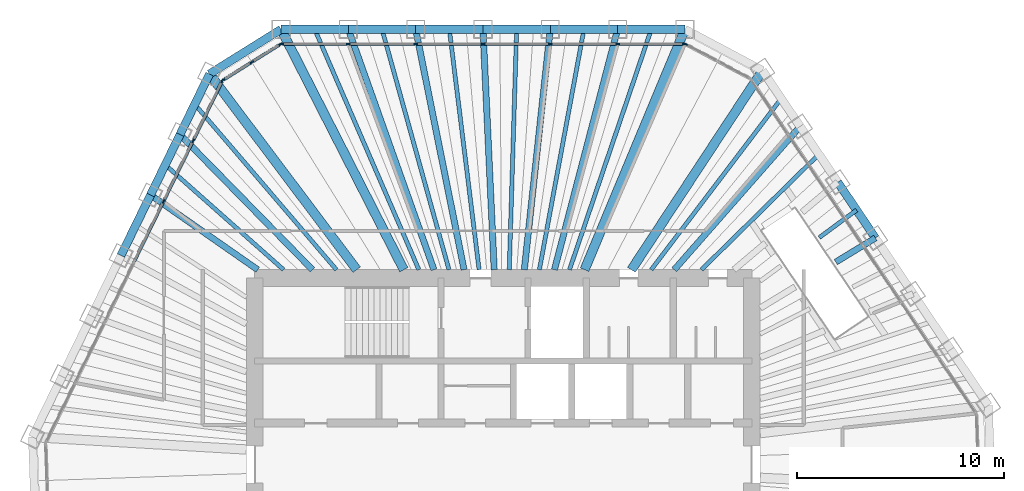
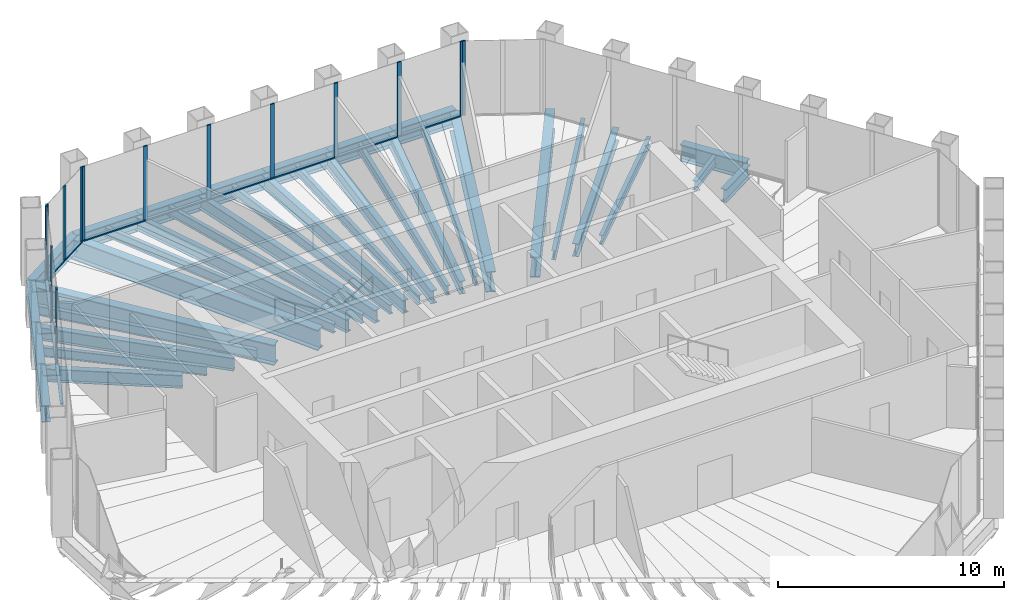
# One storey, part 9 of 17: 35 beams, 25 members, 4 elements without a shape of their own.
"""IFC4 building model written with IfcOpenShell, lengths in metres."""

from ifc_helpers import new_model, si_unit, direction, frame, origin, origin_2d, place, context, subcontext, project, spatial, rectangle, i_section, extrude, material, material_profile, profile_set, type_object, element, aggregate, save


model = new_model("IFC4")

# Units and contexts
model_context = context("Model", 3, precision=1e-05, world=origin(), true_north=direction((0.0, 1.0)))
body_context = subcontext(model_context, "Body", "Model", "MODEL_VIEW")
ifc_project = project(units=[si_unit("LENGTHUNIT", "METRE"), si_unit("AREAUNIT", "SQUARE_METRE"), si_unit("VOLUMEUNIT", "CUBIC_METRE"), si_unit("PLANEANGLEUNIT", "RADIAN"), si_unit("MASSUNIT", "GRAM", prefix="KILO")], contexts=[model_context])

# Site, building, storey
site_placement = place(None, origin())
site = spatial("IfcSite", under=ifc_project, at=site_placement, CompositionType="ELEMENT")
building_placement = place(site_placement, origin())
building = spatial("IfcBuilding", under=site, at=building_placement, Name="Qingtian Harvest Tower", CompositionType="ELEMENT")
storey_placement = place(building_placement, frame((0.0, 0.0, 329.199951171875)))
storey = spatial("IfcBuildingStorey", under=building, at=storey_placement, Name="L73", CompositionType="ELEMENT", Elevation=329.199951171875)

# Beams
ifc_material_1 = material(Name="Steel SM570MC", Category="steel")
ifc_material_profile_1 = material_profile(ifc_material_1, i_section(OverallWidth=0.449951171875, OverallDepth=1.10009765625, WebThickness=0.02197265625, FlangeThickness=0.044921875, at=origin_2d()), Name="H1100x450x22x45")
ifc_profile_set_1 = profile_set([ifc_material_profile_1], Name="Steel SM570MC")
beam_type_1 = type_object("IfcBeamType", Name="Corner floor beam FB8 H1100x450x22x45", PredefinedType="BEAM", material=ifc_profile_set_1)
beam_1_placement = place(storey_placement, frame((-10.72216796875, 21.0, -0.719970703125), z_axis=(0.454725592954, -0.890631593372, 0.0), x_axis=(0.890631593372, 0.454725592954, 0.0)))
element("IfcBeam", 1, at=beam_1_placement, inside=storey, type_object=beam_type_1, Name="Floor beam FB8 N0", PredefinedType="BEAM", context=body_context, shape_type="SweptSolid", body=[
    extrude(i_section(OverallWidth=0.449951171875, OverallDepth=1.10009765625, WebThickness=0.02197265625, FlangeThickness=0.044921875, at=origin_2d()), origin(), (0.0, 0.0, 1.0), 13.024658203125),
])
beam_2_placement = place(storey_placement, frame((8.765869140625, 21.0, -0.719970703125), z_axis=(-0.385202803059, -0.922831945977, 0.0), x_axis=(0.922831945977, -0.385202803059, 0.0)))
element("IfcBeam", 2, at=beam_2_placement, inside=storey, type_object=beam_type_1, Name="Floor beam FB8 N6", PredefinedType="BEAM", context=body_context, shape_type="SweptSolid", body=[
    extrude(i_section(OverallWidth=0.449951171875, OverallDepth=1.10009765625, WebThickness=0.02197265625, FlangeThickness=0.044921875, at=origin_2d()), origin(), (0.0, 0.0, 1.0), 12.570068359375),
])
beam_3_placement = place(storey_placement, frame((12.508056640625, 19.01025390625, -0.719970703125), z_axis=(-0.549655478371, -0.835391438247, 0.0), x_axis=(0.835391438247, -0.549655478371, 0.0)))
element("IfcBeam", 3, at=beam_3_placement, inside=storey, type_object=beam_type_1, Name="Floor beam FB8 NE0", PredefinedType="BEAM", context=body_context, shape_type="SweptSolid", body=[
    extrude(i_section(OverallWidth=0.449951171875, OverallDepth=1.10009765625, WebThickness=0.02197265625, FlangeThickness=0.044921875, at=origin_2d()), origin(), (0.0, 0.0, 1.0), 11.50390625),
])
beam_4_placement = place(storey_placement, frame((-14.17431640625, 18.8427734375, -0.719970703125), z_axis=(0.601143201392, -0.799141321307, 0.0), x_axis=(0.799141321307, 0.601143201392, 0.0)))
element("IfcBeam", 4, at=beam_4_placement, inside=storey, type_object=beam_type_1, Name="Floor beam FB8 NW6", PredefinedType="BEAM", context=body_context, shape_type="SweptSolid", body=[
    extrude(i_section(OverallWidth=0.449951171875, OverallDepth=1.10009765625, WebThickness=0.02197265625, FlangeThickness=0.044921875, at=origin_2d()), origin(), (0.0, 0.0, 1.0), 11.816162109375),
])
ifc_material_2 = material(Name="Steel SN490B", Category="steel")
ifc_material_profile_2 = material_profile(ifc_material_2, i_section(OverallWidth=0.300048828125, OverallDepth=0.699951171875, WebThickness=0.012939453125, FlangeThickness=0.02392578125, at=origin_2d()), Name="H700x300x13x24")
ifc_profile_set_2 = profile_set([ifc_material_profile_2], Name="Steel SN490B")
beam_type_2 = type_object("IfcBeamType", Name="Floor beam FB4 H700x300x13x24", PredefinedType="BEAM", material=ifc_profile_set_2)
beam_5_placement = place(storey_placement, frame((-7.47412109375, 21.0, -0.52001953125), z_axis=(0.335293644082, -0.942113672673, 0.0), x_axis=(0.942113672673, 0.335293644082, 0.0)))
element("IfcBeam", 5, at=beam_5_placement, inside=storey, type_object=beam_type_2, Name="Floor beam FB4 N1", PredefinedType="BEAM", context=body_context, shape_type="SweptSolid", body=[
    extrude(i_section(OverallWidth=0.300048828125, OverallDepth=0.699951171875, WebThickness=0.012939453125, FlangeThickness=0.02392578125, at=origin_2d()), origin(), (0.0, 0.0, 1.0), 12.312744140625),
])
beam_6_placement = place(storey_placement, frame((-4.226318359375, 21.0, -0.52001953125), z_axis=(0.197290474792, -0.980345076265, 0.0), x_axis=(0.980345076265, 0.197290474792, 0.0)))
element("IfcBeam", 6, at=beam_6_placement, inside=storey, type_object=beam_type_2, Name="Floor beam FB4 N2", PredefinedType="BEAM", context=body_context, shape_type="SweptSolid", body=[
    extrude(i_section(OverallWidth=0.300048828125, OverallDepth=0.699951171875, WebThickness=0.012939453125, FlangeThickness=0.02392578125, at=origin_2d()), origin(), (0.0, 0.0, 1.0), 11.832763671875),
])
beam_7_placement = place(storey_placement, frame((-0.978271484375, 21.0, -0.52001953125), z_axis=(0.046546287853, -0.998916134161, 0.0), x_axis=(0.998916134161, 0.046546287853, 0.0)))
element("IfcBeam", 7, at=beam_7_placement, inside=storey, type_object=beam_type_2, Name="Floor beam FB4 N3", PredefinedType="BEAM", context=body_context, shape_type="SweptSolid", body=[
    extrude(i_section(OverallWidth=0.300048828125, OverallDepth=0.699951171875, WebThickness=0.012939453125, FlangeThickness=0.02392578125, at=origin_2d()), origin(), (0.0, 0.0, 1.0), 11.61279296875),
])
beam_8_placement = place(storey_placement, frame((2.269775390625, 21.0, -0.52001953125), z_axis=(-0.107447744153, -0.994210733334, 0.0), x_axis=(0.994210733334, -0.107447744153, 0.0)))
element("IfcBeam", 8, at=beam_8_placement, inside=storey, type_object=beam_type_2, Name="Floor beam FB4 N4", PredefinedType="BEAM", context=body_context, shape_type="SweptSolid", body=[
    extrude(i_section(OverallWidth=0.300048828125, OverallDepth=0.699951171875, WebThickness=0.012939453125, FlangeThickness=0.02392578125, at=origin_2d()), origin(), (0.0, 0.0, 1.0), 11.667724609375),
])
beam_9_placement = place(storey_placement, frame((5.517822265625, 21.0, -0.52001953125), z_axis=(-0.254118548412, -0.967173078282, 0.0), x_axis=(0.967173078282, -0.254118548412, 0.0)))
element("IfcBeam", 9, at=beam_9_placement, inside=storey, type_object=beam_type_2, Name="Floor beam FB4 N5", PredefinedType="BEAM", context=body_context, shape_type="SweptSolid", body=[
    extrude(i_section(OverallWidth=0.300048828125, OverallDepth=0.699951171875, WebThickness=0.012939453125, FlangeThickness=0.02392578125, at=origin_2d()), origin(), (0.0, 0.0, 1.0), 11.993896484375),
])
beam_10_placement = place(storey_placement, frame((14.32421875, 16.317626953125, -0.52001953125), z_axis=(-0.659703637934, -0.751525854576, 0.0), x_axis=(0.751525854576, -0.659703637934, 0.0)))
element("IfcBeam", 10, at=beam_10_placement, inside=storey, type_object=beam_type_2, Name="Floor beam FB4 NE1", PredefinedType="BEAM", context=body_context, shape_type="SweptSolid", body=[
    extrude(i_section(OverallWidth=0.300048828125, OverallDepth=0.699951171875, WebThickness=0.012939453125, FlangeThickness=0.02392578125, at=origin_2d()), origin(), (0.0, 0.0, 1.0), 9.204833984375),
])
beam_11_placement = place(storey_placement, frame((17.956787109375, 10.93212890625, -0.52001953125), z_axis=(-0.854169021026, -0.519995464904, 0.0), x_axis=(0.519995464904, -0.854169021026, 0.0)))
element("IfcBeam", 11, at=beam_11_placement, inside=storey, type_object=beam_type_2, Name="Floor beam FB4 NE3", PredefinedType="BEAM", context=body_context, shape_type="SweptSolid", body=[
    extrude(i_section(OverallWidth=0.300048828125, OverallDepth=0.699951171875, WebThickness=0.012939453125, FlangeThickness=0.02392578125, at=origin_2d()), origin(), (0.0, 0.0, 1.0), 2.23486328125),
])
beam_12_placement = place(storey_placement, frame((-17.02197265625, 13.00439453125, -0.52001953125), z_axis=(0.820409176986, -0.571776864097, 0.0), x_axis=(0.571776864097, 0.820409176986, 0.0)))
element("IfcBeam", 12, at=beam_12_placement, inside=storey, type_object=beam_type_2, Name="Floor beam FB4 NW4", PredefinedType="BEAM", context=body_context, shape_type="SweptSolid", body=[
    extrude(i_section(OverallWidth=0.300048828125, OverallDepth=0.699951171875, WebThickness=0.012939453125, FlangeThickness=0.02392578125, at=origin_2d()), origin(), (0.0, 0.0, 1.0), 6.303955078125),
])
beam_13_placement = place(storey_placement, frame((-15.59814453125, 15.923583984375, -0.52001953125), z_axis=(0.699757003326, -0.714380946202, 0.0), x_axis=(0.714380946202, 0.699757003326, 0.0)))
element("IfcBeam", 13, at=beam_13_placement, inside=storey, type_object=beam_type_2, Name="Floor beam FB4 NW5", PredefinedType="BEAM", context=body_context, shape_type="SweptSolid", body=[
    extrude(i_section(OverallWidth=0.300048828125, OverallDepth=0.699951171875, WebThickness=0.012939453125, FlangeThickness=0.02392578125, at=origin_2d()), origin(), (0.0, 0.0, 1.0), 9.1318359375),
])
ifc_material_3 = material(Name="Steel SN490B", Category="steel")
ifc_material_profile_3 = material_profile(ifc_material_3, i_section(OverallWidth=0.199951171875, OverallDepth=0.5, WebThickness=0.010009765625, FlangeThickness=0.01611328125, at=origin_2d()), Name="H500x200x10x16")
ifc_profile_set_3 = profile_set([ifc_material_profile_3], Name="Steel SN490B")
beam_type_3 = type_object("IfcBeamType", Name="Floor joist J3 H500x200x10x16", PredefinedType="JOIST", material=ifc_profile_set_3)
beam_14_placement = place(storey_placement, frame((-9.09814453125, 21.0, -0.419921875), z_axis=(0.39753589741, -0.917586622761, 0.0), x_axis=(0.917586622761, 0.39753589741, 0.0)))
element("IfcBeam", 14, at=beam_14_placement, inside=storey, type_object=beam_type_3, Name="Floor joist J3 N0", PredefinedType="JOIST", context=body_context, shape_type="SweptSolid", body=[
    extrude(i_section(OverallWidth=0.199951171875, OverallDepth=0.5, WebThickness=0.010009765625, FlangeThickness=0.01611328125, at=origin_2d()), origin(), (0.0, 0.0, 1.0), 12.641845703125),
])
beam_15_placement = place(storey_placement, frame((-5.85009765625, 21.0, -0.419921875), z_axis=(0.268352758425, -0.963320713494, 0.0), x_axis=(0.963320713494, 0.268352758425, 0.0)))
element("IfcBeam", 15, at=beam_15_placement, inside=storey, type_object=beam_type_3, Name="Floor joist J3 N1", PredefinedType="JOIST", context=body_context, shape_type="SweptSolid", body=[
    extrude(i_section(OverallWidth=0.199951171875, OverallDepth=0.5, WebThickness=0.010009765625, FlangeThickness=0.01611328125, at=origin_2d()), origin(), (0.0, 0.0, 1.0), 12.041748046875),
])
beam_16_placement = place(storey_placement, frame((-2.602294921875, 21.0, -0.419921875), z_axis=(0.122980691304, -0.992409063626, 0.0), x_axis=(0.992409063626, 0.122980691304, 0.0)))
element("IfcBeam", 16, at=beam_16_placement, inside=storey, type_object=beam_type_3, Name="Floor joist J3 N2", PredefinedType="JOIST", context=body_context, shape_type="SweptSolid", body=[
    extrude(i_section(OverallWidth=0.199951171875, OverallDepth=0.5, WebThickness=0.010009765625, FlangeThickness=0.01611328125, at=origin_2d()), origin(), (0.0, 0.0, 1.0), 11.688720703125),
])
beam_17_placement = place(storey_placement, frame((0.645751953125, 21.0, -0.419921875), z_axis=(-0.030734305856, -0.999527589636, 0.0), x_axis=(0.999527589636, -0.030734305856, 0.0)))
element("IfcBeam", 17, at=beam_17_placement, inside=storey, type_object=beam_type_3, Name="Floor joist J3 N3", PredefinedType="JOIST", context=body_context, shape_type="SweptSolid", body=[
    extrude(i_section(OverallWidth=0.199951171875, OverallDepth=0.5, WebThickness=0.010009765625, FlangeThickness=0.01611328125, at=origin_2d()), origin(), (0.0, 0.0, 1.0), 11.60546875),
])
beam_18_placement = place(storey_placement, frame((3.893798828125, 21.0, -0.419921875), z_axis=(-0.182311561934, -0.983240812001, 0.0), x_axis=(0.983240812001, -0.182311561934, 0.0)))
element("IfcBeam", 18, at=beam_18_placement, inside=storey, type_object=beam_type_3, Name="Floor joist J3 N4", PredefinedType="JOIST", context=body_context, shape_type="SweptSolid", body=[
    extrude(i_section(OverallWidth=0.199951171875, OverallDepth=0.5, WebThickness=0.010009765625, FlangeThickness=0.01611328125, at=origin_2d()), origin(), (0.0, 0.0, 1.0), 11.7978515625),
])
beam_19_placement = place(storey_placement, frame((7.141845703125, 21.0, -0.419921875), z_axis=(-0.321978462512, -0.946746993488, 0.0), x_axis=(0.946746993488, -0.321978462512, 0.0)))
element("IfcBeam", 19, at=beam_19_placement, inside=storey, type_object=beam_type_3, Name="Floor joist J3 N5", PredefinedType="JOIST", context=body_context, shape_type="SweptSolid", body=[
    extrude(i_section(OverallWidth=0.199951171875, OverallDepth=0.5, WebThickness=0.010009765625, FlangeThickness=0.01611328125, at=origin_2d()), origin(), (0.0, 0.0, 1.0), 12.252685546875),
])
beam_20_placement = place(storey_placement, frame((13.416015625, 17.6640625, -0.419921875), z_axis=(-0.604829724016, -0.796354823522, 0.0), x_axis=(0.796354823522, -0.604829724016, 0.0)))
element("IfcBeam", 20, at=beam_20_placement, inside=storey, type_object=beam_type_3, Name="Floor joist J3 NE0", PredefinedType="JOIST", context=body_context, shape_type="SweptSolid", body=[
    extrude(i_section(OverallWidth=0.199951171875, OverallDepth=0.5, WebThickness=0.010009765625, FlangeThickness=0.01611328125, at=origin_2d()), origin(), (0.0, 0.0, 1.0), 10.37744140625),
])
beam_21_placement = place(storey_placement, frame((15.232421875, 14.97119140625, -0.419921875), z_axis=(-0.713193091885, -0.700967626704, 0.0), x_axis=(0.700967626704, -0.713193091885, 0.0)))
element("IfcBeam", 21, at=beam_21_placement, inside=storey, type_object=beam_type_3, Name="Floor joist J3 NE1", PredefinedType="JOIST", context=body_context, shape_type="SweptSolid", body=[
    extrude(i_section(OverallWidth=0.199951171875, OverallDepth=0.5, WebThickness=0.010009765625, FlangeThickness=0.01611328125, at=origin_2d()), origin(), (0.0, 0.0, 1.0), 7.947998046875),
])
beam_22_placement = place(storey_placement, frame((17.048583984375, 12.278564453125, -0.419921875), z_axis=(-0.804786596725, -0.593564262513, 0.0), x_axis=(0.593564262513, -0.804786596725, 0.0)))
element("IfcBeam", 22, at=beam_22_placement, inside=storey, type_object=beam_type_3, Name="Floor joist J3 NE2", PredefinedType="JOIST", context=body_context, shape_type="SweptSolid", body=[
    extrude(i_section(OverallWidth=0.199951171875, OverallDepth=0.5, WebThickness=0.010009765625, FlangeThickness=0.01611328125, at=origin_2d()), origin(), (0.0, 0.0, 1.0), 2.234130859375),
])
beam_23_placement = place(storey_placement, frame((-16.31005859375, 14.4638671875, -0.419921875), z_axis=(0.748174776717, -0.663501698177, 0.0), x_axis=(0.663501698177, 0.748174776717, 0.0)))
element("IfcBeam", 23, at=beam_23_placement, inside=storey, type_object=beam_type_3, Name="Floor joist J3 NW4", PredefinedType="JOIST", context=body_context, shape_type="SweptSolid", body=[
    extrude(i_section(OverallWidth=0.199951171875, OverallDepth=0.5, WebThickness=0.010009765625, FlangeThickness=0.01611328125, at=origin_2d()), origin(), (0.0, 0.0, 1.0), 7.632080078125),
])
beam_24_placement = place(storey_placement, frame((-14.88623046875, 17.38330078125, -0.419921875), z_axis=(0.650435500933, -0.75956149134, 0.0), x_axis=(0.75956149134, 0.650435500933, 0.0)))
element("IfcBeam", 24, at=beam_24_placement, inside=storey, type_object=beam_type_3, Name="Floor joist J3 NW5", PredefinedType="JOIST", context=body_context, shape_type="SweptSolid", body=[
    extrude(i_section(OverallWidth=0.199951171875, OverallDepth=0.5, WebThickness=0.010009765625, FlangeThickness=0.01611328125, at=origin_2d()), origin(), (0.0, 0.0, 1.0), 10.510498046875),
])

# Curtain wall, members
ifc_material_4 = material(Name="Bronze-anodised aluminium curtain wall", Category="aluminium")
curtain_wall_type = type_object("IfcCurtainWallType", Name="Curtain wall CW6 executive floors", PredefinedType="USERDEFINED", material=ifc_material_4)
curtain_wall_1_placement = place(storey_placement, origin())
curtain_wall_1 = element("IfcCurtainWall", 25, at=curtain_wall_1_placement, inside=storey, type_object=curtain_wall_type, Name="Curtain wall CW6 L73 N0-5", ObjectType="RECESSED CURTAIN WALL", PredefinedType="USERDEFINED")
ifc_material_5 = material(Name="Bronze-anodised aluminium mullion", Category="aluminium")
ifc_material_profile_4 = material_profile(ifc_material_5, rectangle(XDim=0.06494140625, YDim=0.199951171875, at=origin_2d()), Name="AL 65x200")
ifc_profile_set_4 = profile_set([ifc_material_profile_4], Name="Bronze-anodised aluminium mullion")
member_type_1 = type_object("IfcMemberType", Name="Mullion CWM 65x200", PredefinedType="MULLION", material=ifc_profile_set_4)
member_1_placement = place(storey_placement, frame((-10.689697265625, 20.300048828125, 0.0), z_axis=(0.0, 0.0, 1.0), x_axis=(0.0, 1.0, 0.0)))
member_1 = element("IfcMember", 26, at=member_1_placement, type_object=member_type_1, Name="CW6 mullion 1", PredefinedType="MULLION", context=body_context, shape_type="SweptSolid", body=[
    extrude(rectangle(XDim=0.06494140625, YDim=0.199951171875, at=origin_2d()), origin(), (0.0, 0.0, 1.0), 4.030029296875),
])
member_2_placement = place(storey_placement, frame((-7.47412109375, 20.300048828125, 0.0), z_axis=(0.0, 0.0, 1.0), x_axis=(0.0, 1.0, 0.0)))
member_2 = element("IfcMember", 27, at=member_2_placement, type_object=member_type_1, Name="CW6 mullion 2", PredefinedType="MULLION", context=body_context, shape_type="SweptSolid", body=[
    extrude(rectangle(XDim=0.06494140625, YDim=0.199951171875, at=origin_2d()), origin(), (0.0, 0.0, 1.0), 4.030029296875),
])
member_3_placement = place(storey_placement, frame((-4.226318359375, 20.300048828125, 0.0), z_axis=(0.0, 0.0, 1.0), x_axis=(0.0, 1.0, 0.0)))
member_3 = element("IfcMember", 28, at=member_3_placement, type_object=member_type_1, Name="CW6 mullion 3", PredefinedType="MULLION", context=body_context, shape_type="SweptSolid", body=[
    extrude(rectangle(XDim=0.06494140625, YDim=0.199951171875, at=origin_2d()), origin(), (0.0, 0.0, 1.0), 4.030029296875),
])
member_4_placement = place(storey_placement, frame((-0.978271484375, 20.300048828125, 0.0), z_axis=(0.0, 0.0, 1.0), x_axis=(0.0, 1.0, 0.0)))
member_4 = element("IfcMember", 29, at=member_4_placement, type_object=member_type_1, Name="CW6 mullion 4", PredefinedType="MULLION", context=body_context, shape_type="SweptSolid", body=[
    extrude(rectangle(XDim=0.06494140625, YDim=0.199951171875, at=origin_2d()), origin(), (0.0, 0.0, 1.0), 4.030029296875),
])
member_5_placement = place(storey_placement, frame((2.269775390625, 20.300048828125, 0.0), z_axis=(0.0, 0.0, 1.0), x_axis=(0.0, 1.0, 0.0)))
member_5 = element("IfcMember", 30, at=member_5_placement, type_object=member_type_1, Name="CW6 mullion 5", PredefinedType="MULLION", context=body_context, shape_type="SweptSolid", body=[
    extrude(rectangle(XDim=0.06494140625, YDim=0.199951171875, at=origin_2d()), origin(), (0.0, 0.0, 1.0), 4.030029296875),
])
member_6_placement = place(storey_placement, frame((5.517822265625, 20.300048828125, 0.0), z_axis=(0.0, 0.0, 1.0), x_axis=(0.0, 1.0, 0.0)))
member_6 = element("IfcMember", 31, at=member_6_placement, type_object=member_type_1, Name="CW6 mullion 6", PredefinedType="MULLION", context=body_context, shape_type="SweptSolid", body=[
    extrude(rectangle(XDim=0.06494140625, YDim=0.199951171875, at=origin_2d()), origin(), (0.0, 0.0, 1.0), 4.030029296875),
])
member_7_placement = place(storey_placement, frame((8.7333984375, 20.300048828125, 0.0), z_axis=(0.0, 0.0, 1.0), x_axis=(0.0, 1.0, 0.0)))
member_7 = element("IfcMember", 32, at=member_7_placement, type_object=member_type_1, Name="CW6 mullion 7", PredefinedType="MULLION", context=body_context, shape_type="SweptSolid", body=[
    extrude(rectangle(XDim=0.06494140625, YDim=0.199951171875, at=origin_2d()), origin(), (0.0, 0.0, 1.0), 4.030029296875),
])

# Curtain wall, member
curtain_wall_2_placement = place(storey_placement, origin())
curtain_wall_2 = element("IfcCurtainWall", 33, at=curtain_wall_2_placement, inside=storey, type_object=curtain_wall_type, Name="Curtain wall CW6 L73 NC", ObjectType="RECESSED CURTAIN WALL", PredefinedType="USERDEFINED")
member_8_placement = place(storey_placement, frame((8.794677734375, 20.28466796875, 0.0), z_axis=(0.0, 0.0, 1.0), x_axis=(0.469471562786, 0.882947592859, 0.0)))
member_8 = element("IfcMember", 34, at=member_8_placement, type_object=member_type_1, Name="CW6 mullion 1", PredefinedType="MULLION", context=body_context, shape_type="SweptSolid", body=[
    extrude(rectangle(XDim=0.06494140625, YDim=0.199951171875, at=origin_2d()), origin(), (0.0, 0.0, 1.0), 4.030029296875),
])
aggregate(curtain_wall_2, [member_8])

# Curtain wall, members
curtain_wall_3_placement = place(storey_placement, origin())
curtain_wall_3 = element("IfcCurtainWall", 35, at=curtain_wall_3_placement, inside=storey, type_object=curtain_wall_type, Name="Curtain wall CW6 L73 NW0-5", ObjectType="RECESSED CURTAIN WALL", PredefinedType="USERDEFINED")
member_9_placement = place(storey_placement, frame((-16.392822265625, 12.697509765625, 0.0), z_axis=(0.0, 0.0, 1.0), x_axis=(-0.898794046299, 0.438371146789, 0.0)))
member_9 = element("IfcMember", 36, at=member_9_placement, type_object=member_type_1, Name="CW6 mullion 5", PredefinedType="MULLION", context=body_context, shape_type="SweptSolid", body=[
    extrude(rectangle(XDim=0.06494140625, YDim=0.199951171875, at=origin_2d()), origin(), (0.0, 0.0, 1.0), 4.030029296875),
])
member_10_placement = place(storey_placement, frame((-14.968994140625, 15.61669921875, 0.0), z_axis=(0.0, 0.0, 1.0), x_axis=(-0.898794046299, 0.438371146789, 0.0)))
member_10 = element("IfcMember", 37, at=member_10_placement, type_object=member_type_1, Name="CW6 mullion 6", PredefinedType="MULLION", context=body_context, shape_type="SweptSolid", body=[
    extrude(rectangle(XDim=0.06494140625, YDim=0.199951171875, at=origin_2d()), origin(), (0.0, 0.0, 1.0), 4.030029296875),
])
member_11_placement = place(storey_placement, frame((-13.559326171875, 18.5068359375, 0.0), z_axis=(0.0, 0.0, 1.0), x_axis=(-0.898794046299, 0.438371146789, 0.0)))
member_11 = element("IfcMember", 38, at=member_11_placement, type_object=member_type_1, Name="CW6 mullion 7", PredefinedType="MULLION", context=body_context, shape_type="SweptSolid", body=[
    extrude(rectangle(XDim=0.06494140625, YDim=0.199951171875, at=origin_2d()), origin(), (0.0, 0.0, 1.0), 4.030029296875),
])

curtain_wall_4_placement = place(storey_placement, origin())
curtain_wall_4 = element("IfcCurtainWall", 39, at=curtain_wall_4_placement, inside=storey, type_object=curtain_wall_type, Name="Curtain wall CW6 L73 NWC", ObjectType="RECESSED CURTAIN WALL", PredefinedType="USERDEFINED")
member_12_placement = place(storey_placement, frame((-13.517578125, 18.55322265625, 0.0), z_axis=(0.0, 0.0, 1.0), x_axis=(-0.529919264233, 0.848048096156, 0.0)))
member_12 = element("IfcMember", 40, at=member_12_placement, type_object=member_type_1, Name="CW6 mullion 1", PredefinedType="MULLION", context=body_context, shape_type="SweptSolid", body=[
    extrude(rectangle(XDim=0.06494140625, YDim=0.199951171875, at=origin_2d()), origin(), (0.0, 0.0, 1.0), 4.030029296875),
])
member_13_placement = place(storey_placement, frame((-12.1337890625, 19.41796875, 0.0), z_axis=(0.0, 0.0, 1.0), x_axis=(-0.529919264233, 0.848048096156, 0.0)))
member_13 = element("IfcMember", 41, at=member_13_placement, type_object=member_type_1, Name="CW6 mullion 2", PredefinedType="MULLION", context=body_context, shape_type="SweptSolid", body=[
    extrude(rectangle(XDim=0.06494140625, YDim=0.199951171875, at=origin_2d()), origin(), (0.0, 0.0, 1.0), 4.030029296875),
])
member_14_placement = place(storey_placement, frame((-10.749755859375, 20.28271484375, 0.0), z_axis=(0.0, 0.0, 1.0), x_axis=(-0.529919264233, 0.848048096156, 0.0)))
member_14 = element("IfcMember", 42, at=member_14_placement, type_object=member_type_1, Name="CW6 mullion 3", PredefinedType="MULLION", context=body_context, shape_type="SweptSolid", body=[
    extrude(rectangle(XDim=0.06494140625, YDim=0.199951171875, at=origin_2d()), origin(), (0.0, 0.0, 1.0), 4.030029296875),
])

# Beams
ifc_material_6 = material(Name="Steel SN490B", Category="steel")
ifc_material_profile_5 = material_profile(ifc_material_6, i_section(OverallWidth=0.39990234375, OverallDepth=0.89990234375, WebThickness=0.01904296875, FlangeThickness=0.035888671875, at=origin_2d()), Name="H900x400x19x36")
ifc_profile_set_5 = profile_set([ifc_material_profile_5], Name="Steel SN490B")
beam_type_4 = type_object("IfcBeamType", Name="Spandrel beam SB4 H900x400x19x36", PredefinedType="SPANDREL", material=ifc_profile_set_5)
beam_25_placement = place(storey_placement, frame((-10.72216796875, 21.0, -0.449951171875), z_axis=(1.0, 0.0, 0.0), x_axis=(0.0, 1.0, 0.0)))
element("IfcBeam", 43, at=beam_25_placement, inside=storey, type_object=beam_type_4, Name="Spandrel SB4 N0", PredefinedType="SPANDREL", context=body_context, shape_type="SweptSolid", body=[
    extrude(i_section(OverallWidth=0.39990234375, OverallDepth=0.89990234375, WebThickness=0.01904296875, FlangeThickness=0.035888671875, at=origin_2d()), origin(), (0.0, 0.0, 1.0), 3.248046875),
])
beam_26_placement = place(storey_placement, frame((-7.47412109375, 21.0, -0.449951171875), z_axis=(1.0, 0.0, 0.0), x_axis=(0.0, 1.0, 0.0)))
element("IfcBeam", 44, at=beam_26_placement, inside=storey, type_object=beam_type_4, Name="Spandrel SB4 N1", PredefinedType="SPANDREL", context=body_context, shape_type="SweptSolid", body=[
    extrude(i_section(OverallWidth=0.39990234375, OverallDepth=0.89990234375, WebThickness=0.01904296875, FlangeThickness=0.035888671875, at=origin_2d()), origin(), (0.0, 0.0, 1.0), 3.247802734375),
])
for number, where, z_axis, x_axis, name in (
    (45, (-4.226318359375, 21.0, -0.449951171875), (1.0, 0.0, 0.0), (0.0, 1.0, 0.0), "Spandrel SB4 N2"),
    (46, (-0.978271484375, 21.0, -0.449951171875), (1.0, 0.0, 0.0), (0.0, 1.0, 0.0), "Spandrel SB4 N3"),
    (47, (2.269775390625, 21.0, -0.449951171875), (1.0, 0.0, 0.0), (0.0, 1.0, 0.0), "Spandrel SB4 N4"),
    (48, (5.517822265625, 21.0, -0.449951171875), (1.0, 0.0, 0.0), (0.0, 1.0, 0.0), "Spandrel SB4 N5"),
):
    element("IfcBeam", number, at=place(storey_placement, frame(where, z_axis=z_axis, x_axis=x_axis)), inside=storey, type_object=beam_type_4, Name=name, PredefinedType="SPANDREL", context=body_context, shape_type="SweptSolid", body=[
        extrude(i_section(OverallWidth=0.39990234375, OverallDepth=0.89990234375, WebThickness=0.01904296875, FlangeThickness=0.035888671875, at=origin_2d()), origin(), (0.0, 0.0, 1.0), 3.248046875),
    ])
beam_27_placement = place(storey_placement, frame((16.140625, 13.624755859375, -0.449951171875), z_axis=(0.559184924833, -0.829042954158, 0.0), x_axis=(0.829042954158, 0.559184924833, 0.0)))
element("IfcBeam", 49, at=beam_27_placement, inside=storey, type_object=beam_type_4, Name="Spandrel SB4 NE2", PredefinedType="SPANDREL", context=body_context, shape_type="SweptSolid", body=[
    extrude(i_section(OverallWidth=0.39990234375, OverallDepth=0.89990234375, WebThickness=0.01904296875, FlangeThickness=0.035888671875, at=origin_2d()), origin(), (0.0, 0.0, 1.0), 3.247802734375),
])
beam_28_placement = place(storey_placement, frame((-18.44580078125, 10.0849609375, -0.449951171875), z_axis=(0.438352548749, 0.898803116931, 0.0), x_axis=(-0.898803116931, 0.438352548749, 0.0)))
element("IfcBeam", 50, at=beam_28_placement, inside=storey, type_object=beam_type_4, Name="Spandrel SB4 NW3", PredefinedType="SPANDREL", context=body_context, shape_type="SweptSolid", body=[
    extrude(i_section(OverallWidth=0.39990234375, OverallDepth=0.89990234375, WebThickness=0.01904296875, FlangeThickness=0.035888671875, at=origin_2d()), origin(), (0.0, 0.0, 1.0), 3.248046875),
])
for number, where, z_axis, x_axis, name in (
    (51, (-17.02197265625, 13.00439453125, -0.449951171875), (0.438382164311, 0.898788672611, 0.0), (-0.898788672611, 0.438382164311, 0.0), "Spandrel SB4 NW4"),
    (52, (-15.59814453125, 15.923583984375, -0.449951171875), (0.438382164311, 0.898788672611, 0.0), (-0.898788672611, 0.438382164311, 0.0), "Spandrel SB4 NW5"),
):
    element("IfcBeam", number, at=place(storey_placement, frame(where, z_axis=z_axis, x_axis=x_axis)), inside=storey, type_object=beam_type_4, Name=name, PredefinedType="SPANDREL", context=body_context, shape_type="SweptSolid", body=[
        extrude(i_section(OverallWidth=0.39990234375, OverallDepth=0.89990234375, WebThickness=0.01904296875, FlangeThickness=0.035888671875, at=origin_2d()), origin(), (0.0, 0.0, 1.0), 3.247802734375),
    ])
beam_29_placement = place(storey_placement, frame((-14.17431640625, 18.8427734375, -0.449951171875), z_axis=(0.848038733752, 0.529934246919, 0.0), x_axis=(-0.529934246919, 0.848038733752, 0.0)))
element("IfcBeam", 53, at=beam_29_placement, inside=storey, type_object=beam_type_4, Name="Spandrel SB4 NWC", PredefinedType="SPANDREL", context=body_context, shape_type="SweptSolid", body=[
    extrude(i_section(OverallWidth=0.39990234375, OverallDepth=0.89990234375, WebThickness=0.01904296875, FlangeThickness=0.035888671875, at=origin_2d()), origin(), (0.0, 0.0, 1.0), 4.07080078125),
])

# Member
ifc_material_7 = material(Name="Bronze-anodised aluminium transom", Category="aluminium")
ifc_material_profile_6 = material_profile(ifc_material_7, rectangle(XDim=0.14990234375, YDim=0.06494140625, at=origin_2d()), Name="AL 65x150")
ifc_profile_set_6 = profile_set([ifc_material_profile_6], Name="Bronze-anodised aluminium transom")
member_type_2 = type_object("IfcMemberType", Name="Transom CWT 65x150", PredefinedType="USERDEFINED", material=ifc_profile_set_6)
member_15_placement = place(storey_placement, frame((-10.6572265625, 20.300048828125, 0.032470703125), z_axis=(1.0, 0.0, 0.0), x_axis=(0.0, 1.0, 0.0)))
member_15 = element("IfcMember", 54, at=member_15_placement, type_object=member_type_2, Name="CW6 transom 1.1", ObjectType="TRANSOM", PredefinedType="USERDEFINED", context=body_context, shape_type="SweptSolid", body=[
    extrude(rectangle(XDim=0.14990234375, YDim=0.06494140625, at=origin_2d()), origin(), (0.0, 0.0, 1.0), 3.150390625),
])

member_16_placement = place(storey_placement, frame((-7.441650390625, 20.300048828125, 0.032470703125), z_axis=(1.0, 0.0, 0.0), x_axis=(0.0, 1.0, 0.0)))
member_16 = element("IfcMember", 55, at=member_16_placement, type_object=member_type_2, Name="CW6 transom 2.1", ObjectType="TRANSOM", PredefinedType="USERDEFINED", context=body_context, shape_type="SweptSolid", body=[
    extrude(rectangle(XDim=0.14990234375, YDim=0.06494140625, at=origin_2d()), origin(), (0.0, 0.0, 1.0), 3.182861328125),
])

member_17_placement = place(storey_placement, frame((-4.193603515625, 20.300048828125, 0.032470703125), z_axis=(1.0, 0.0, 0.0), x_axis=(0.0, 1.0, 0.0)))
member_17 = element("IfcMember", 56, at=member_17_placement, type_object=member_type_2, Name="CW6 transom 3.1", ObjectType="TRANSOM", PredefinedType="USERDEFINED", context=body_context, shape_type="SweptSolid", body=[
    extrude(rectangle(XDim=0.14990234375, YDim=0.06494140625, at=origin_2d()), origin(), (0.0, 0.0, 1.0), 3.182861328125),
])

member_18_placement = place(storey_placement, frame((-0.94580078125, 20.300048828125, 0.032470703125), z_axis=(1.0, 0.0, 0.0), x_axis=(0.0, 1.0, 0.0)))
member_18 = element("IfcMember", 57, at=member_18_placement, type_object=member_type_2, Name="CW6 transom 4.1", ObjectType="TRANSOM", PredefinedType="USERDEFINED", context=body_context, shape_type="SweptSolid", body=[
    extrude(rectangle(XDim=0.14990234375, YDim=0.06494140625, at=origin_2d()), origin(), (0.0, 0.0, 1.0), 3.18310546875),
])

member_19_placement = place(storey_placement, frame((2.30224609375, 20.300048828125, 0.032470703125), z_axis=(1.0, 0.0, 0.0), x_axis=(0.0, 1.0, 0.0)))
member_19 = element("IfcMember", 58, at=member_19_placement, type_object=member_type_2, Name="CW6 transom 5.1", ObjectType="TRANSOM", PredefinedType="USERDEFINED", context=body_context, shape_type="SweptSolid", body=[
    extrude(rectangle(XDim=0.14990234375, YDim=0.06494140625, at=origin_2d()), origin(), (0.0, 0.0, 1.0), 3.18310546875),
])

member_20_placement = place(storey_placement, frame((5.55029296875, 20.300048828125, 0.032470703125), z_axis=(1.0, 0.0, 0.0), x_axis=(0.0, 1.0, 0.0)))
member_20 = element("IfcMember", 59, at=member_20_placement, type_object=member_type_2, Name="CW6 transom 6.1", ObjectType="TRANSOM", PredefinedType="USERDEFINED", context=body_context, shape_type="SweptSolid", body=[
    extrude(rectangle(XDim=0.14990234375, YDim=0.06494140625, at=origin_2d()), origin(), (0.0, 0.0, 1.0), 3.150634765625),
])

aggregate(curtain_wall_1, [member_1, member_2, member_3, member_4, member_5, member_6, member_7, member_15, member_16, member_17, member_18, member_19, member_20])

member_21_placement = place(storey_placement, frame((-17.802490234375, 9.807373046875, 0.032470703125), z_axis=(0.438355626738, 0.898801615768, 0.0), x_axis=(-0.898801615768, 0.438355626738, 0.0)))
member_21 = element("IfcMember", 60, at=member_21_placement, type_object=member_type_2, Name="CW6 transom 4.1", ObjectType="TRANSOM", PredefinedType="USERDEFINED", context=body_context, shape_type="SweptSolid", body=[
    extrude(rectangle(XDim=0.14990234375, YDim=0.06494140625, at=origin_2d()), origin(), (0.0, 0.0, 1.0), 3.182861328125),
])

member_22_placement = place(storey_placement, frame((-16.378662109375, 12.7265625, 0.032470703125), z_axis=(0.438355626738, 0.898801615768, 0.0), x_axis=(-0.898801615768, 0.438355626738, 0.0)))
member_22 = element("IfcMember", 61, at=member_22_placement, type_object=member_type_2, Name="CW6 transom 5.1", ObjectType="TRANSOM", PredefinedType="USERDEFINED", context=body_context, shape_type="SweptSolid", body=[
    extrude(rectangle(XDim=0.14990234375, YDim=0.06494140625, at=origin_2d()), origin(), (0.0, 0.0, 1.0), 3.182861328125),
])

member_23_placement = place(storey_placement, frame((-14.954833984375, 15.64599609375, 0.032470703125), z_axis=(0.438388515075, 0.898785575012, 0.0), x_axis=(-0.898785575012, 0.438388515075, 0.0)))
member_23 = element("IfcMember", 62, at=member_23_placement, type_object=member_type_2, Name="CW6 transom 6.1", ObjectType="TRANSOM", PredefinedType="USERDEFINED", context=body_context, shape_type="SweptSolid", body=[
    extrude(rectangle(XDim=0.14990234375, YDim=0.06494140625, at=origin_2d()), origin(), (0.0, 0.0, 1.0), 3.150390625),
])

aggregate(curtain_wall_3, [member_9, member_10, member_11, member_21, member_22, member_23])

member_24_placement = place(storey_placement, frame((-13.489990234375, 18.570556640625, 0.032470703125), z_axis=(0.848015812303, 0.529970925697, 0.0), x_axis=(-0.529970925697, 0.848015812303, 0.0)))
member_24 = element("IfcMember", 63, at=member_24_placement, type_object=member_type_2, Name="CW6 transom 1.1", ObjectType="TRANSOM", PredefinedType="USERDEFINED", context=body_context, shape_type="SweptSolid", body=[
    extrude(rectangle(XDim=0.14990234375, YDim=0.06494140625, at=origin_2d()), origin(), (0.0, 0.0, 1.0), 1.566650390625),
])

member_25_placement = place(storey_placement, frame((-12.106201171875, 19.435302734375, 0.032470703125), z_axis=(0.848059570903, 0.529900900357, 0.0), x_axis=(-0.529900900357, 0.848059570903, 0.0)))
member_25 = element("IfcMember", 64, at=member_25_placement, type_object=member_type_2, Name="CW6 transom 2.1", ObjectType="TRANSOM", PredefinedType="USERDEFINED", context=body_context, shape_type="SweptSolid", body=[
    extrude(rectangle(XDim=0.14990234375, YDim=0.06494140625, at=origin_2d()), origin(), (0.0, 0.0, 1.0), 1.56689453125),
])

aggregate(curtain_wall_4, [member_12, member_13, member_14, member_24, member_25])

save(model, "model.ifc")
